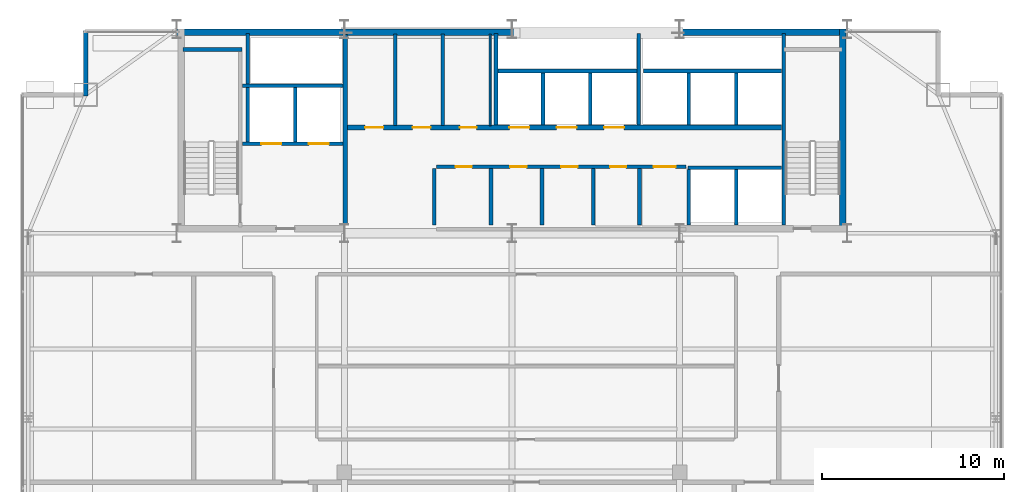
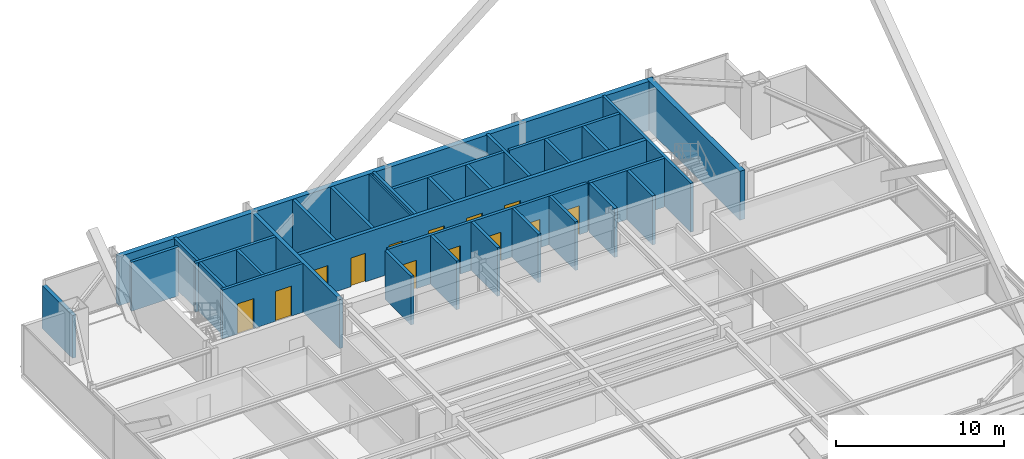
# One storey, part 30 of 33: 31 walls, 13 doors, 13 openings.
"""IFC4 building model written with IfcOpenShell, lengths in metres."""

from ifc_helpers import new_model, si_unit, direction, frame, frame_2d, origin, place, context, subcontext, project, spatial, rectangle, extrude, source, transform, mapped, material, layer, layer_set, type_object, type_shapes, element, fill, save


model = new_model("IFC4")

# Units and contexts
model_context = context("Model", 3, precision=1e-05, world=origin(), true_north=direction((0.0, 1.0)))
body_context = subcontext(model_context, "Body", "Model", "MODEL_VIEW")
ifc_project = project(units=[si_unit("LENGTHUNIT", "METRE"), si_unit("AREAUNIT", "SQUARE_METRE"), si_unit("VOLUMEUNIT", "CUBIC_METRE"), si_unit("PLANEANGLEUNIT", "RADIAN"), si_unit("MASSUNIT", "GRAM", prefix="KILO")], contexts=[model_context])

# Site, building, storey
site_placement = place(None, origin())
site = spatial("IfcSite", under=ifc_project, at=site_placement, CompositionType="ELEMENT")
building_placement = place(site_placement, origin())
building = spatial("IfcBuilding", under=site, at=building_placement, Name="Varnel Quay Broadcast Tower", CompositionType="ELEMENT")
storey_placement = place(building_placement, frame((0.0, 0.0, 145.800048828125)))
storey = spatial("IfcBuildingStorey", under=building, at=storey_placement, Name="L35", CompositionType="ELEMENT", Elevation=145.800048828125)

# Wall
ifc_material_1 = material(Name="Concrete CSA A23.3 C50/60", Category="concrete")
ifc_layer_1 = layer(ifc_material_1, 0.199951171875, Name="Concrete CSA A23.3 C50/60")
ifc_layer_set_1 = layer_set([ifc_layer_1], Name="Concrete CSA A23.3 C50/60")
wall_type_1 = type_object("IfcWallType", Name="Wall_CoreShaftShear200", PredefinedType="SHEAR", material=ifc_layer_set_1)
wall_1_placement = place(storey_placement, frame((15.949951171875, 45.679931640625, 0.0), z_axis=(0.0, 0.0, 1.0), x_axis=(1.0, 0.0, 0.0)))
element("IfcWall", 1, at=wall_1_placement, inside=storey, type_object=wall_type_1, Name="L35 Stair 1 North Structural Wall", PredefinedType="SHEAR", context=body_context, shape_type="SweptSolid", body=[
    extrude(rectangle(XDim=3.22998046875, YDim=0.199951171875, at=frame_2d((1.614990234375, 0.0))), origin(), (0.0, 0.0, 1.0), 3.550048828125),
])

# Wall, openings, doors
wall_2_placement = place(storey_placement, frame((19.199951171875, 40.5, 0.0), z_axis=(0.0, 0.0, 1.0), x_axis=(1.0, 0.0, 0.0)))
wall_2 = element("IfcWall", 2, at=wall_2_placement, inside=storey, type_object=wall_type_1, Name="L35 Firefighter Lift Shaft Front Wall", PredefinedType="SHEAR", context=body_context, shape_type="SweptSolid", body=[
    extrude(rectangle(XDim=5.52001953125, YDim=0.199951171875, at=frame_2d((2.760009765625, 0.0))), origin(), (0.0, 0.0, 1.0), 3.550048828125),
])
opening_1_placement = place(wall_2_placement, frame((1.050048828125, 0.0, 0.0)))
opening_1 = element("IfcOpeningElement", 3, at=opening_1_placement, cuts=wall_2, Name="Opening LD-L35-FE1", PredefinedType="OPENING", context=body_context, shape_type="SweptSolid", body=[
    extrude(rectangle(XDim=1.10009765625, YDim=2.179931640625, at=frame_2d((0.550048828125, 1.08984375))), frame((0.0, 0.10986328125, 0.0), z_axis=(0.0, -1.0, 0.0), x_axis=(1.0, 0.0, 0.0)), (0.0, 0.0, 1.0), 0.219970703125),
])
opening_2_placement = place(wall_2_placement, frame((3.64990234375, 0.0, 0.0)))
opening_2 = element("IfcOpeningElement", 4, at=opening_2_placement, cuts=wall_2, Name="Opening LD-L35-FE2", PredefinedType="OPENING", context=body_context, shape_type="SweptSolid", body=[
    extrude(rectangle(XDim=1.10009765625, YDim=2.179931640625, at=frame_2d((0.550048828125, 1.08984375))), frame((0.0, 0.10986328125, 0.0), z_axis=(0.0, -1.0, 0.0), x_axis=(1.0, 0.0, 0.0)), (0.0, 0.0, 1.0), 0.219970703125),
])
ifc_material_2 = material(Name="Brushed Bronze-Stainless Lift Car & Sliding Doors", Category="steel")
door_type_1 = type_object("IfcDoorType", Name="Door_LiftLanding1100", OperationType="SLIDING_TO_LEFT", PredefinedType="DOOR", material=ifc_material_2)
shared_shape_1 = source(origin(), body_context, "Body", "SweptSolid", [
    extrude(rectangle(XDim=1.10009765625, YDim=2.179931640625, at=frame_2d((0.550048828125, 1.08984375))), frame((0.0, 0.02490234375, 0.0), z_axis=(0.0, -1.0, 0.0), x_axis=(1.0, 0.0, 0.0)), (0.0, 0.0, 1.0), 0.050048828125),
])
type_shapes(door_type_1, [shared_shape_1])
door_1_placement = place(opening_1_placement, frame((1.10009765625, 0.0, 0.0), z_axis=(0.0, 0.0, 1.0), x_axis=(-1.0, 0.0, 0.0)))
door_1 = element("IfcDoor", 5, at=door_1_placement, inside=storey, type_object=door_type_1, Name="L35 Firefighter Lift FE-01 Landing Door", OperationType="SLIDING_TO_LEFT", OverallHeight=2.179931640625, OverallWidth=1.10009765625, PredefinedType="DOOR", context=body_context, shape_type="MappedRepresentation", body=[
    mapped(shared_shape_1, transform((0.0, 0.0, 0.0), x_axis=(1.0, 0.0, 0.0), y_axis=(0.0, 1.0, 0.0), z_axis=(0.0, 0.0, 1.0), scale=1.0)),
])
fill(opening_1, door_1)
door_2_placement = place(opening_2_placement, frame((1.10009765625, 0.0, 0.0), z_axis=(0.0, 0.0, 1.0), x_axis=(-1.0, 0.0, 0.0)))
door_2 = element("IfcDoor", 6, at=door_2_placement, inside=storey, type_object=door_type_1, Name="L35 Firefighter Lift FE-02 Landing Door", OperationType="SLIDING_TO_RIGHT", OverallHeight=2.179931640625, OverallWidth=1.10009765625, PredefinedType="DOOR", context=body_context, shape_type="MappedRepresentation", body=[
    mapped(shared_shape_1, transform((0.0, 0.0, 0.0), x_axis=(1.0, 0.0, 0.0), y_axis=(0.0, 1.0, 0.0), z_axis=(0.0, 0.0, 1.0), scale=1.0)),
])
fill(opening_2, door_2)

# Walls
wall_3_placement = place(storey_placement, frame((19.199951171875, 43.699951171875, 0.0), z_axis=(0.0, 0.0, 1.0), x_axis=(1.0, 0.0, 0.0)))
element("IfcWall", 7, at=wall_3_placement, inside=storey, type_object=wall_type_1, Name="L35 Firefighter Lift Shaft Rear Wall", PredefinedType="SHEAR", context=body_context, shape_type="SweptSolid", body=[
    extrude(rectangle(XDim=5.52001953125, YDim=0.199951171875, at=frame_2d((2.760009765625, 0.0))), origin(), (0.0, 0.0, 1.0), 3.550048828125),
])
wall_4_placement = place(storey_placement, frame((22.10009765625, 40.60009765625, 0.0), z_axis=(0.0, 0.0, 1.0), x_axis=(0.0, 1.0, 0.0)))
element("IfcWall", 8, at=wall_4_placement, inside=storey, type_object=wall_type_1, Name="L35 Firefighter Lift Shaft Divider", PredefinedType="SHEAR", context=body_context, shape_type="SweptSolid", body=[
    extrude(rectangle(XDim=3.0, YDim=0.199951171875, at=frame_2d((1.5, 0.0))), origin(), (0.0, 0.0, 1.0), 3.550048828125),
])
wall_5_placement = place(storey_placement, frame((19.5, 40.60009765625, 0.0), z_axis=(0.0, 0.0, 1.0), x_axis=(0.0, 1.0, 0.0)))
element("IfcWall", 9, at=wall_5_placement, inside=storey, type_object=wall_type_1, Name="L35 Firefighter Lift Shaft West Wall", PredefinedType="SHEAR", context=body_context, shape_type="SweptSolid", body=[
    extrude(rectangle(XDim=5.949951171875, YDim=0.199951171875, at=frame_2d((2.97509765625, 0.0))), origin(), (0.0, 0.0, 1.0), 3.550048828125),
])
wall_6_placement = place(storey_placement, frame((48.919921875, 36.050048828125, 0.0), z_axis=(0.0, 0.0, 1.0), x_axis=(0.0, 1.0, 0.0)))
element("IfcWall", 10, at=wall_6_placement, inside=storey, type_object=wall_type_1, Name="L35 Stair 2 West Structural Wall", PredefinedType="SHEAR", context=body_context, shape_type="SweptSolid", body=[
    extrude(rectangle(XDim=10.5, YDim=0.199951171875, at=frame_2d((5.25, 0.0))), origin(), (0.0, 0.0, 1.0), 3.550048828125),
])
wall_7_placement = place(storey_placement, frame((33.219970703125, 44.5, 0.0), z_axis=(0.0, 0.0, 1.0), x_axis=(1.0, 0.0, 0.0)))
element("IfcWall", 11, at=wall_7_placement, inside=storey, type_object=wall_type_1, Name="L35 Mid-Rise Lift Shaft Rear Wall", PredefinedType="SHEAR", context=body_context, shape_type="SweptSolid", body=[
    extrude(rectangle(XDim=7.630126953125, YDim=0.199951171875, at=frame_2d((3.81494140625, 0.0))), origin(), (0.0, 0.0, 1.0), 3.550048828125),
])
wall_8_placement = place(storey_placement, frame((33.1201171875, 41.530029296875, 0.0), z_axis=(0.0, 0.0, 1.0), x_axis=(0.0, 1.0, 0.0)))
element("IfcWall", 12, at=wall_8_placement, inside=storey, type_object=wall_type_1, Name="L35 Mid-Rise Lift Shaft Divider 1", PredefinedType="SHEAR", context=body_context, shape_type="SweptSolid", body=[
    extrude(rectangle(XDim=5.02001953125, YDim=0.199951171875, at=frame_2d((2.510009765625, 0.0))), origin(), (0.0, 0.0, 1.0), 3.550048828125),
])
for number, where, z_axis, x_axis, name in (
    (13, (35.699951171875, 41.530029296875, 0.0), (0.0, 0.0, 1.0), (0.0, 1.0, 0.0), "L35 Mid-Rise Lift Shaft Divider 2"),
    (14, (38.300048828125, 41.530029296875, 0.0), (0.0, 0.0, 1.0), (0.0, 1.0, 0.0), "L35 Mid-Rise Lift Shaft Divider 3"),
):
    element("IfcWall", number, at=place(storey_placement, frame(where, z_axis=z_axis, x_axis=x_axis)), inside=storey, type_object=wall_type_1, Name=name, PredefinedType="SHEAR", context=body_context, shape_type="SweptSolid", body=[
        extrude(rectangle(XDim=2.869873046875, YDim=0.199951171875, at=frame_2d((1.43505859375, 0.0))), origin(), (0.0, 0.0, 1.0), 3.550048828125),
    ])
wall_9_placement = place(storey_placement, frame((40.949951171875, 41.530029296875, 0.0), z_axis=(0.0, 0.0, 1.0), x_axis=(0.0, 1.0, 0.0)))
element("IfcWall", 15, at=wall_9_placement, inside=storey, type_object=wall_type_1, Name="L35 Mid-Rise Lift Shaft Divider 4", PredefinedType="SHEAR", context=body_context, shape_type="SweptSolid", body=[
    extrude(rectangle(XDim=5.02001953125, YDim=0.199951171875, at=frame_2d((2.510009765625, 0.0))), origin(), (0.0, 0.0, 1.0), 3.550048828125),
])
wall_10_placement = place(storey_placement, frame((41.219970703125, 44.5, 0.0), z_axis=(0.0, 0.0, 1.0), x_axis=(1.0, 0.0, 0.0)))
element("IfcWall", 16, at=wall_10_placement, inside=storey, type_object=wall_type_1, Name="L35 High-Rise Lift Shaft Rear Wall", PredefinedType="SHEAR", context=body_context, shape_type="SweptSolid", body=[
    extrude(rectangle(XDim=7.580078125, YDim=0.199951171875, at=frame_2d((3.7900390625, 0.0))), origin(), (0.0, 0.0, 1.0), 3.550048828125),
])
for number, where, z_axis, x_axis, name in (
    (17, (43.699951171875, 41.530029296875, 0.0), (0.0, 0.0, 1.0), (0.0, 1.0, 0.0), "L35 High-Rise Lift Shaft Divider 2"),
    (18, (46.300048828125, 41.530029296875, 0.0), (0.0, 0.0, 1.0), (0.0, 1.0, 0.0), "L35 High-Rise Lift Shaft Divider 3"),
):
    element("IfcWall", number, at=place(storey_placement, frame(where, z_axis=z_axis, x_axis=x_axis)), inside=storey, type_object=wall_type_1, Name=name, PredefinedType="SHEAR", context=body_context, shape_type="SweptSolid", body=[
        extrude(rectangle(XDim=2.869873046875, YDim=0.199951171875, at=frame_2d((1.43505859375, 0.0))), origin(), (0.0, 0.0, 1.0), 3.550048828125),
    ])
for number, where, z_axis, x_axis, name in (
    (19, (43.699951171875, 36.050048828125, 0.0), (0.0, 0.0, 1.0), (0.0, 1.0, 0.0), "L35 Express Lift Shaft West Wall"),
    (20, (46.300048828125, 36.050048828125, 0.0), (0.0, 0.0, 1.0), (0.0, 1.0, 0.0), "L35 Express Lift Shaft Divider"),
):
    element("IfcWall", number, at=place(storey_placement, frame(where, z_axis=z_axis, x_axis=x_axis)), inside=storey, type_object=wall_type_1, Name=name, PredefinedType="SHEAR", context=body_context, shape_type="SweptSolid", body=[
        extrude(rectangle(XDim=3.050048828125, YDim=0.199951171875, at=frame_2d((1.52490234375, 0.0))), origin(), (0.0, 0.0, 1.0), 3.550048828125),
    ])
wall_11_placement = place(storey_placement, frame((43.64990234375, 39.199951171875, 0.0), z_axis=(0.0, 0.0, 1.0), x_axis=(1.0, 0.0, 0.0)))
element("IfcWall", 21, at=wall_11_placement, inside=storey, type_object=wall_type_1, Name="L35 Express Lift Shaft North Front Wall", PredefinedType="SHEAR", context=body_context, shape_type="SweptSolid", body=[
    extrude(rectangle(XDim=5.150146484375, YDim=0.199951171875, at=frame_2d((2.5751953125, 0.0))), origin(), (0.0, 0.0, 1.0), 3.550048828125),
])
ifc_layer_2 = layer(ifc_material_1, 0.25, Name="Concrete CSA A23.3 C50/60")
ifc_layer_set_2 = layer_set([ifc_layer_2], Name="Concrete CSA A23.3 C50/60")
wall_type_2 = type_object("IfcWallType", Name="Wall_CoreShaftShear250", PredefinedType="SHEAR", material=ifc_layer_set_2)
wall_12_placement = place(storey_placement, frame((24.85009765625, 36.050048828125, 0.0), z_axis=(0.0, 0.0, 1.0), x_axis=(0.0, 1.0, 0.0)))
element("IfcWall", 22, at=wall_12_placement, inside=storey, type_object=wall_type_2, Name="L35 Firefighting Lobby East Structural Wall", PredefinedType="SHEAR", context=body_context, shape_type="SweptSolid", body=[
    extrude(rectangle(XDim=10.449951171875, YDim=0.25, at=frame_2d((5.22509765625, 0.0))), origin(), (0.0, 0.0, 1.0), 3.550048828125),
])

# Wall, openings, doors
wall_13_placement = place(storey_placement, frame((24.97998046875, 41.39990234375, 0.0), z_axis=(0.0, 0.0, 1.0), x_axis=(1.0, 0.0, 0.0)))
wall_13 = element("IfcWall", 23, at=wall_13_placement, inside=storey, type_object=wall_type_2, Name="L35 North Lift Bank & Reclaimed Suite Wall", PredefinedType="SHEAR", context=body_context, shape_type="SweptSolid", body=[
    extrude(rectangle(XDim=23.820068359375, YDim=0.25, at=frame_2d((11.91015625, 0.0))), origin(), (0.0, 0.0, 1.0), 3.550048828125),
])
opening_3_placement = place(wall_13_placement, frame((8.8701171875, 0.0, 0.0)))
opening_3 = element("IfcOpeningElement", 24, at=opening_3_placement, cuts=wall_13, Name="Opening LD-L35-PM-01", PredefinedType="OPENING", context=body_context, shape_type="SweptSolid", body=[
    extrude(rectangle(XDim=1.10009765625, YDim=2.179931640625, at=frame_2d((0.550048828125, 1.08984375))), frame((0.0, 0.135009765625, 0.0), z_axis=(0.0, -1.0, 0.0), x_axis=(1.0, 0.0, 0.0)), (0.0, 0.0, 1.0), 0.27001953125),
])
opening_4_placement = place(wall_13_placement, frame((11.469970703125, 0.0, 0.0)))
opening_4 = element("IfcOpeningElement", 25, at=opening_4_placement, cuts=wall_13, Name="Opening LD-L35-PM-02", PredefinedType="OPENING", context=body_context, shape_type="SweptSolid", body=[
    extrude(rectangle(XDim=1.10009765625, YDim=2.179931640625, at=frame_2d((0.550048828125, 1.08984375))), frame((0.0, 0.135009765625, 0.0), z_axis=(0.0, -1.0, 0.0), x_axis=(1.0, 0.0, 0.0)), (0.0, 0.0, 1.0), 0.27001953125),
])
opening_5_placement = place(wall_13_placement, frame((14.070068359375, 0.0, 0.0)))
opening_5 = element("IfcOpeningElement", 26, at=opening_5_placement, cuts=wall_13, Name="Opening LD-L35-PM-03", PredefinedType="OPENING", context=body_context, shape_type="SweptSolid", body=[
    extrude(rectangle(XDim=1.10009765625, YDim=2.179931640625, at=frame_2d((0.550048828125, 1.08984375))), frame((0.0, 0.135009765625, 0.0), z_axis=(0.0, -1.0, 0.0), x_axis=(1.0, 0.0, 0.0)), (0.0, 0.0, 1.0), 0.27001953125),
])
opening_6_placement = place(wall_13_placement, frame((0.9599609375, 0.0, 0.0)))
opening_6 = element("IfcOpeningElement", 27, at=opening_6_placement, cuts=wall_13, Name="Opening D-L35-RECA1", PredefinedType="OPENING", context=body_context, shape_type="SweptSolid", body=[
    extrude(rectangle(XDim=1.0, YDim=2.080078125, at=frame_2d((0.5, 1.0400390625))), frame((0.0, 0.135009765625, 0.0), z_axis=(0.0, -1.0, 0.0), x_axis=(1.0, 0.0, 0.0)), (0.0, 0.0, 1.0), 0.27001953125),
])
opening_7_placement = place(wall_13_placement, frame((3.56005859375, 0.0, 0.0)))
opening_7 = element("IfcOpeningElement", 28, at=opening_7_placement, cuts=wall_13, Name="Opening D-L35-RECA2", PredefinedType="OPENING", context=body_context, shape_type="SweptSolid", body=[
    extrude(rectangle(XDim=1.0, YDim=2.080078125, at=frame_2d((0.5, 1.0400390625))), frame((0.0, 0.135009765625, 0.0), z_axis=(0.0, -1.0, 0.0), x_axis=(1.0, 0.0, 0.0)), (0.0, 0.0, 1.0), 0.27001953125),
])
opening_8_placement = place(wall_13_placement, frame((6.159912109375, 0.0, 0.0)))
opening_8 = element("IfcOpeningElement", 29, at=opening_8_placement, cuts=wall_13, Name="Opening D-L35-RECA3", PredefinedType="OPENING", context=body_context, shape_type="SweptSolid", body=[
    extrude(rectangle(XDim=0.919921875, YDim=2.080078125, at=frame_2d((0.4599609375, 1.0400390625))), frame((0.0, 0.135009765625, 0.0), z_axis=(0.0, -1.0, 0.0), x_axis=(1.0, 0.0, 0.0)), (0.0, 0.0, 1.0), 0.27001953125),
])
door_3_placement = place(opening_3_placement, frame((1.10009765625, 0.0, 0.0), z_axis=(0.0, 0.0, 1.0), x_axis=(-1.0, 0.0, 0.0)))
door_3 = element("IfcDoor", 30, at=door_3_placement, inside=storey, type_object=door_type_1, Name="L35 Lift PM-01 Landing Door", OperationType="SLIDING_TO_LEFT", OverallHeight=2.179931640625, OverallWidth=1.10009765625, PredefinedType="DOOR", context=body_context, shape_type="MappedRepresentation", body=[
    mapped(shared_shape_1, transform((0.0, 0.0, 0.0), x_axis=(1.0, 0.0, 0.0), y_axis=(0.0, 1.0, 0.0), z_axis=(0.0, 0.0, 1.0), scale=1.0)),
])
fill(opening_3, door_3)
door_4_placement = place(opening_4_placement, frame((1.10009765625, 0.0, 0.0), z_axis=(0.0, 0.0, 1.0), x_axis=(-1.0, 0.0, 0.0)))
door_4 = element("IfcDoor", 31, at=door_4_placement, inside=storey, type_object=door_type_1, Name="L35 Lift PM-02 Landing Door", OperationType="SLIDING_TO_LEFT", OverallHeight=2.179931640625, OverallWidth=1.10009765625, PredefinedType="DOOR", context=body_context, shape_type="MappedRepresentation", body=[
    mapped(shared_shape_1, transform((0.0, 0.0, 0.0), x_axis=(1.0, 0.0, 0.0), y_axis=(0.0, 1.0, 0.0), z_axis=(0.0, 0.0, 1.0), scale=1.0)),
])
fill(opening_4, door_4)
door_5_placement = place(opening_5_placement, frame((1.10009765625, 0.0, 0.0), z_axis=(0.0, 0.0, 1.0), x_axis=(-1.0, 0.0, 0.0)))
door_5 = element("IfcDoor", 32, at=door_5_placement, inside=storey, type_object=door_type_1, Name="L35 Lift PM-03 Landing Door", OperationType="SLIDING_TO_LEFT", OverallHeight=2.179931640625, OverallWidth=1.10009765625, PredefinedType="DOOR", context=body_context, shape_type="MappedRepresentation", body=[
    mapped(shared_shape_1, transform((0.0, 0.0, 0.0), x_axis=(1.0, 0.0, 0.0), y_axis=(0.0, 1.0, 0.0), z_axis=(0.0, 0.0, 1.0), scale=1.0)),
])
fill(opening_5, door_5)
ifc_material_3 = material(Name="Insulated Fire-Rated Hollow Steel Door", Category="steel")
door_type_2 = type_object("IfcDoorType", Name="Door_FireLobby1000", OperationType="NOTDEFINED", PredefinedType="DOOR", material=ifc_material_3)
shared_shape_2 = source(origin(), body_context, "Body", "SweptSolid", [
    extrude(rectangle(XDim=1.0, YDim=2.080078125, at=frame_2d((0.5, 1.0400390625))), frame((0.0, 0.02490234375, 0.0), z_axis=(0.0, -1.0, 0.0), x_axis=(1.0, 0.0, 0.0)), (0.0, 0.0, 1.0), 0.050048828125),
])
type_shapes(door_type_2, [shared_shape_2])
door_6_placement = place(opening_6_placement, origin())
door_6 = element("IfcDoor", 33, at=door_6_placement, inside=storey, type_object=door_type_2, Name="L35 Ingest Rack Bay A Door", OperationType="SINGLE_SWING_LEFT", OverallHeight=2.080078125, OverallWidth=1.0, PredefinedType="DOOR", context=body_context, shape_type="MappedRepresentation", body=[
    mapped(shared_shape_2, transform((0.0, 0.0, 0.0), x_axis=(1.0, 0.0, 0.0), y_axis=(0.0, 1.0, 0.0), z_axis=(0.0, 0.0, 1.0), scale=1.0)),
])
fill(opening_6, door_6)
door_7_placement = place(opening_7_placement, origin())
door_7 = element("IfcDoor", 34, at=door_7_placement, inside=storey, type_object=door_type_2, Name="L35 Fiber Patch Bay Door", OperationType="SINGLE_SWING_RIGHT", OverallHeight=2.080078125, OverallWidth=1.0, PredefinedType="DOOR", context=body_context, shape_type="MappedRepresentation", body=[
    mapped(shared_shape_2, transform((0.0, 0.0, 0.0), x_axis=(1.0, 0.0, 0.0), y_axis=(0.0, 1.0, 0.0), z_axis=(0.0, 0.0, 1.0), scale=1.0)),
])
fill(opening_7, door_7)
ifc_material_4 = material(Name="Solid-Core Fire-Rated Acoustic Oak Veneer Door", Category="wood")
door_type_3 = type_object("IfcDoorType", Name="Door_Office920", OperationType="NOTDEFINED", PredefinedType="DOOR", material=ifc_material_4)
shared_shape_3 = source(origin(), body_context, "Body", "SweptSolid", [
    extrude(rectangle(XDim=0.919921875, YDim=2.080078125, at=frame_2d((0.4599609375, 1.0400390625))), frame((0.0, 0.02490234375, 0.0), z_axis=(0.0, -1.0, 0.0), x_axis=(1.0, 0.0, 0.0)), (0.0, 0.0, 1.0), 0.050048828125),
])
type_shapes(door_type_3, [shared_shape_3])
door_8_placement = place(opening_8_placement, origin())
door_8 = element("IfcDoor", 35, at=door_8_placement, inside=storey, type_object=door_type_3, Name="L35 Telemetry Store Door", OperationType="SINGLE_SWING_LEFT", OverallHeight=2.080078125, OverallWidth=0.919921875, PredefinedType="DOOR", context=body_context, shape_type="MappedRepresentation", body=[
    mapped(shared_shape_3, transform((0.0, 0.0, 0.0), x_axis=(1.0, 0.0, 0.0), y_axis=(0.0, 1.0, 0.0), z_axis=(0.0, 0.0, 1.0), scale=1.0)),
])
fill(opening_8, door_8)

# Walls
ifc_layer_3 = layer(ifc_material_1, 0.35009765625, Name="Concrete CSA A23.3 C50/60")
ifc_layer_set_3 = layer_set([ifc_layer_3], Name="Concrete CSA A23.3 C50/60")
wall_type_3 = type_object("IfcWallType", Name="Wall_CoreShearExt350", PredefinedType="SHEAR", material=ifc_layer_set_3)
wall_14_placement = place(storey_placement, frame((15.60009765625, 46.625, 0.0), z_axis=(0.0, 0.0, 1.0), x_axis=(1.0, 0.0, 0.0)))
element("IfcWall", 36, at=wall_14_placement, inside=storey, type_object=wall_type_3, Name="L35 North Core Shear Wall", PredefinedType="SHEAR", context=body_context, shape_type="SweptSolid", body=[
    extrude(rectangle(XDim=36.7998046875, YDim=0.35009765625, at=frame_2d((18.39990234375, 0.0))), origin(), (0.0, 0.0, 1.0), 3.550048828125),
])
ifc_layer_4 = layer(ifc_material_1, 0.35009765625, Name="Concrete CSA A23.3 C50/60")
ifc_layer_set_4 = layer_set([ifc_layer_4], Name="Concrete CSA A23.3 C50/60")
wall_type_4 = type_object("IfcWallType", Name="Wall_CoreShearInt350", PredefinedType="SHEAR", material=ifc_layer_set_4)
wall_15_placement = place(storey_placement, frame((52.155029296875, 35.669921875, 0.0), z_axis=(0.0, 0.0, 1.0), x_axis=(0.0, 1.0, 0.0)))
element("IfcWall", 37, at=wall_15_placement, inside=storey, type_object=wall_type_4, Name="L35 East Core Shear Wall", PredefinedType="SHEAR", context=body_context, shape_type="SweptSolid", body=[
    extrude(rectangle(XDim=11.130126953125, YDim=0.35009765625, at=frame_2d((5.56494140625, 0.0))), origin(), (0.0, 0.0, 1.0), 3.550048828125),
])
ifc_material_5 = material(Name="Precast Architectural Concrete C40/50", Category="concrete")
ifc_layer_5 = layer(ifc_material_5, 0.25, Name="Precast Architectural Concrete C40/50")
ifc_layer_set_5 = layer_set([ifc_layer_5], Name="Precast Architectural Concrete C40/50")
wall_type_5 = type_object("IfcWallType", Name="Wall_ExtTerrace250", PredefinedType="SOLIDWALL", material=ifc_layer_set_5)
wall_16_placement = place(storey_placement, frame((10.60009765625, 43.1201171875, 0.0), z_axis=(0.0, 0.0, 1.0), x_axis=(0.0, 1.0, 0.0)))
element("IfcWall", 38, at=wall_16_placement, inside=storey, type_object=wall_type_5, Name="L35 Mega-Column Notch Cladding Wall NNW2", PredefinedType="SOLIDWALL", context=body_context, shape_type="SweptSolid", body=[
    extrude(rectangle(XDim=3.599853515625, YDim=0.25, at=frame_2d((1.7998046875, 0.0))), origin(), (0.0, 0.0, 1.0), 3.10791015625),
])

# Wall, openings, doors
ifc_material_6 = material(Name="Concrete Blockwork Fire Enclosure C40/50", Category="masonry")
ifc_layer_6 = layer(ifc_material_6, 0.199951171875, Name="Concrete Blockwork Fire Enclosure C40/50")
ifc_layer_set_6 = layer_set([ifc_layer_6], Name="Concrete Blockwork Fire Enclosure C40/50")
wall_type_6 = type_object("IfcWallType", Name="Wall_FireShaft200", PredefinedType="SOLIDWALL", material=ifc_layer_set_6)
wall_17_placement = place(storey_placement, frame((29.85009765625, 39.25, 0.0), z_axis=(0.0, 0.0, 1.0), x_axis=(1.0, 0.0, 0.0)))
wall_17 = element("IfcWall", 39, at=wall_17_placement, inside=storey, type_object=wall_type_6, Name="L35 Accessible Washroom Partition 3", PredefinedType="SOLIDWALL", context=body_context, shape_type="SweptSolid", body=[
    extrude(rectangle(XDim=13.699951171875, YDim=0.199951171875, at=frame_2d((6.85009765625, 0.0))), origin(), (0.0, 0.0, 1.0), 3.530029296875),
])
opening_9_placement = place(wall_17_placement, frame((1.050048828125, 0.0, 0.0)))
opening_9 = element("IfcOpeningElement", 40, at=opening_9_placement, cuts=wall_17, Name="Opening D-L35-01", PredefinedType="OPENING", context=body_context, shape_type="SweptSolid", body=[
    extrude(rectangle(XDim=0.89990234375, YDim=2.06005859375, at=frame_2d((0.449951171875, 1.030029296875))), frame((0.0, 0.10986328125, 0.0), z_axis=(0.0, -1.0, 0.0), x_axis=(1.0, 0.0, 0.0)), (0.0, 0.0, 1.0), 0.219970703125),
])
opening_10_placement = place(wall_17_placement, frame((4.050048828125, 0.0, 0.0)))
opening_10 = element("IfcOpeningElement", 41, at=opening_10_placement, cuts=wall_17, Name="Opening D-L35-02", PredefinedType="OPENING", context=body_context, shape_type="SweptSolid", body=[
    extrude(rectangle(XDim=0.89990234375, YDim=2.06005859375, at=frame_2d((0.449951171875, 1.030029296875))), frame((0.0, 0.10986328125, 0.0), z_axis=(0.0, -1.0, 0.0), x_axis=(1.0, 0.0, 0.0)), (0.0, 0.0, 1.0), 0.219970703125),
])
opening_11_placement = place(wall_17_placement, frame((6.85009765625, 0.0, 0.0)))
opening_11 = element("IfcOpeningElement", 42, at=opening_11_placement, cuts=wall_17, Name="Opening D-L35-03", PredefinedType="OPENING", context=body_context, shape_type="SweptSolid", body=[
    extrude(rectangle(XDim=0.89990234375, YDim=2.06005859375, at=frame_2d((0.449951171875, 1.030029296875))), frame((0.0, 0.10986328125, 0.0), z_axis=(0.0, -1.0, 0.0), x_axis=(1.0, 0.0, 0.0)), (0.0, 0.0, 1.0), 0.219970703125),
])
opening_12_placement = place(wall_17_placement, frame((9.534912109375, 0.0, 0.0)))
opening_12 = element("IfcOpeningElement", 43, at=opening_12_placement, cuts=wall_17, Name="Opening D-L35-04", PredefinedType="OPENING", context=body_context, shape_type="SweptSolid", body=[
    extrude(rectangle(XDim=0.8798828125, YDim=2.06005859375, at=frame_2d((0.43994140625, 1.030029296875))), frame((0.0, 0.10986328125, 0.0), z_axis=(0.0, -1.0, 0.0), x_axis=(1.0, 0.0, 0.0)), (0.0, 0.0, 1.0), 0.219970703125),
])
opening_13_placement = place(wall_17_placement, frame((11.925048828125, 0.0, 0.0)))
opening_13 = element("IfcOpeningElement", 44, at=opening_13_placement, cuts=wall_17, Name="Opening D-L35-05", PredefinedType="OPENING", context=body_context, shape_type="SweptSolid", body=[
    extrude(rectangle(XDim=1.199951171875, YDim=2.10009765625, at=frame_2d((0.60009765625, 1.050048828125))), frame((0.0, 0.10986328125, 0.0), z_axis=(0.0, -1.0, 0.0), x_axis=(1.0, 0.0, 0.0)), (0.0, 0.0, 1.0), 0.219970703125),
])
door_type_4 = type_object("IfcDoorType", Name="Door_Washroom900", OperationType="NOTDEFINED", PredefinedType="DOOR", material=ifc_material_4)
shared_shape_4 = source(origin(), body_context, "Body", "SweptSolid", [
    extrude(rectangle(XDim=0.89990234375, YDim=2.06005859375, at=frame_2d((0.449951171875, 1.030029296875))), frame((0.0, 0.02490234375, 0.0), z_axis=(0.0, -1.0, 0.0), x_axis=(1.0, 0.0, 0.0)), (0.0, 0.0, 1.0), 0.050048828125),
])
type_shapes(door_type_4, [shared_shape_4])
door_9_placement = place(opening_9_placement, frame((0.89990234375, 0.0, 0.0), z_axis=(0.0, 0.0, 1.0), x_axis=(-1.0, 0.0, 0.0)))
door_9 = element("IfcDoor", 45, at=door_9_placement, inside=storey, type_object=door_type_4, Name="L35 Accessible Washroom Door D-L35-01", OperationType="SINGLE_SWING_RIGHT", OverallHeight=2.06005859375, OverallWidth=0.89990234375, PredefinedType="DOOR", context=body_context, shape_type="MappedRepresentation", body=[
    mapped(shared_shape_4, transform((0.0, 0.0, 0.0), x_axis=(1.0, 0.0, 0.0), y_axis=(0.0, 1.0, 0.0), z_axis=(0.0, 0.0, 1.0), scale=1.0)),
])
fill(opening_9, door_9)
door_10_placement = place(opening_10_placement, frame((0.89990234375, 0.0, 0.0), z_axis=(0.0, 0.0, 1.0), x_axis=(-1.0, 0.0, 0.0)))
door_10 = element("IfcDoor", 46, at=door_10_placement, inside=storey, type_object=door_type_4, Name="L35 West Gender-Neutral Washroom Door D-L35-02", OperationType="SINGLE_SWING_LEFT", OverallHeight=2.06005859375, OverallWidth=0.89990234375, PredefinedType="DOOR", context=body_context, shape_type="MappedRepresentation", body=[
    mapped(shared_shape_4, transform((0.0, 0.0, 0.0), x_axis=(1.0, 0.0, 0.0), y_axis=(0.0, 1.0, 0.0), z_axis=(0.0, 0.0, 1.0), scale=1.0)),
])
fill(opening_10, door_10)
door_11_placement = place(opening_11_placement, frame((0.89990234375, 0.0, 0.0), z_axis=(0.0, 0.0, 1.0), x_axis=(-1.0, 0.0, 0.0)))
door_11 = element("IfcDoor", 47, at=door_11_placement, inside=storey, type_object=door_type_4, Name="L35 East Staff Washroom Door D-L35-03", OperationType="SINGLE_SWING_RIGHT", OverallHeight=2.06005859375, OverallWidth=0.89990234375, PredefinedType="DOOR", context=body_context, shape_type="MappedRepresentation", body=[
    mapped(shared_shape_4, transform((0.0, 0.0, 0.0), x_axis=(1.0, 0.0, 0.0), y_axis=(0.0, 1.0, 0.0), z_axis=(0.0, 0.0, 1.0), scale=1.0)),
])
fill(opening_11, door_11)
door_type_5 = type_object("IfcDoorType", Name="Door_Plant1200", OperationType="NOTDEFINED", PredefinedType="DOOR", material=ifc_material_3)
shared_shape_5 = source(origin(), body_context, "Body", "SweptSolid", [
    extrude(rectangle(XDim=1.199951171875, YDim=2.10009765625, at=frame_2d((0.60009765625, 1.050048828125))), frame((0.0, 0.02490234375, 0.0), z_axis=(0.0, -1.0, 0.0), x_axis=(1.0, 0.0, 0.0)), (0.0, 0.0, 1.0), 0.050048828125),
])
type_shapes(door_type_5, [shared_shape_5])
door_12_placement = place(opening_13_placement, origin())
door_12 = element("IfcDoor", 48, at=door_12_placement, inside=storey, type_object=door_type_5, Name="L35 Telecom IDF Closet Door D-L35-05", OperationType="SINGLE_SWING_RIGHT", OverallHeight=2.10009765625, OverallWidth=1.199951171875, PredefinedType="DOOR", context=body_context, shape_type="MappedRepresentation", body=[
    mapped(shared_shape_5, transform((0.0, 0.0, 0.0), x_axis=(1.0, 0.0, 0.0), y_axis=(0.0, 1.0, 0.0), z_axis=(0.0, 0.0, 1.0), scale=1.0)),
])
fill(opening_13, door_12)
door_type_6 = type_object("IfcDoorType", Name="Door_Booth880", OperationType="NOTDEFINED", PredefinedType="DOOR", material=ifc_material_4)
shared_shape_6 = source(origin(), body_context, "Body", "SweptSolid", [
    extrude(rectangle(XDim=0.8798828125, YDim=2.06005859375, at=frame_2d((0.43994140625, 1.030029296875))), frame((0.0, 0.02490234375, 0.0), z_axis=(0.0, -1.0, 0.0), x_axis=(1.0, 0.0, 0.0)), (0.0, 0.0, 1.0), 0.050048828125),
])
type_shapes(door_type_6, [shared_shape_6])
door_13_placement = place(opening_12_placement, frame((0.8798828125, 0.0, 0.0), z_axis=(0.0, 0.0, 1.0), x_axis=(-1.0, 0.0, 0.0)))
door_13 = element("IfcDoor", 49, at=door_13_placement, inside=storey, type_object=door_type_6, Name="L35 Cleaners' & Linen Store Door D-L35-04", OperationType="SINGLE_SWING_LEFT", OverallHeight=2.06005859375, OverallWidth=0.8798828125, PredefinedType="DOOR", context=body_context, shape_type="MappedRepresentation", body=[
    mapped(shared_shape_6, transform((0.0, 0.0, 0.0), x_axis=(1.0, 0.0, 0.0), y_axis=(0.0, 1.0, 0.0), z_axis=(0.0, 0.0, 1.0), scale=1.0)),
])
fill(opening_12, door_13)

# Walls
wall_18_placement = place(storey_placement, frame((41.0, 36.050048828125, 0.0), z_axis=(0.0, 0.0, 1.0), x_axis=(0.0, 1.0, 0.0)))
element("IfcWall", 50, at=wall_18_placement, inside=storey, type_object=wall_type_6, Name="L35 Cleaners' & Linen Store Partition 7", PredefinedType="SOLIDWALL", context=body_context, shape_type="SweptSolid", body=[
    extrude(rectangle(XDim=3.099853515625, YDim=0.199951171875, at=frame_2d((1.5498046875, 0.0))), origin(), (0.0, 0.0, 1.0), 3.530029296875),
])
for number, where, z_axis, x_axis, name in (
    (51, (27.60009765625, 41.5, 0.0), (0.0, 0.0, 1.0), (0.0, 1.0, 0.0), "L35 Ingest Rack Bay A Partition 21"),
    (52, (30.199951171875, 41.5, 0.0), (0.0, 0.0, 1.0), (0.0, 1.0, 0.0), "L35 Fiber Patch Bay Partition 22"),
):
    element("IfcWall", number, at=place(storey_placement, frame(where, z_axis=z_axis, x_axis=x_axis)), inside=storey, type_object=wall_type_6, Name=name, PredefinedType="SOLIDWALL", context=body_context, shape_type="SweptSolid", body=[
        extrude(rectangle(XDim=5.02001953125, YDim=0.199951171875, at=frame_2d((2.510009765625, 0.0))), origin(), (0.0, 0.0, 1.0), 3.530029296875),
    ])
ifc_material_7 = material(Name="Steel-Stud Fire-Rated Acoustic Gypsum Partition Assembly", Category="steel")
ifc_layer_7 = layer(ifc_material_7, 0.10498046875, Name="Steel-Stud Fire-Rated Acoustic Gypsum Partition Assembly")
ifc_layer_set_7 = layer_set([ifc_layer_7], Name="Steel-Stud Fire-Rated Acoustic Gypsum Partition Assembly")
wall_type_7 = type_object("IfcWallType", Name="Wall_Partition105", PredefinedType="PARTITIONING", material=ifc_layer_set_7)
wall_19_placement = place(storey_placement, frame((32.800048828125, 41.5, 0.0), z_axis=(0.0, 0.0, 1.0), x_axis=(0.0, 1.0, 0.0)))
element("IfcWall", 53, at=wall_19_placement, inside=storey, type_object=wall_type_7, Name="L35 Telemetry Store Partition 23", PredefinedType="PARTITIONING", context=body_context, shape_type="SweptSolid", body=[
    extrude(rectangle(XDim=5.02001953125, YDim=0.10498046875, at=frame_2d((2.510009765625, 0.0))), origin(), (0.0, 0.0, 1.0), 3.530029296875),
])
ifc_material_8 = material(Name="Fire-Rated Moisture-Resistant Plumbing Chase Partition")
ifc_layer_8 = layer(ifc_material_8, 0.199951171875, Name="Fire-Rated Moisture-Resistant Plumbing Chase Partition")
ifc_layer_set_8 = layer_set([ifc_layer_8], Name="Fire-Rated Moisture-Resistant Plumbing Chase Partition")
wall_type_8 = type_object("IfcWallType", Name="Wall_Plumbing200", PredefinedType="PLUMBINGWALL", material=ifc_layer_set_8)
for number, where, z_axis, x_axis, name in (
    (54, (32.85009765625, 36.050048828125, 0.0), (0.0, 0.0, 1.0), (0.0, 1.0, 0.0), "L35 Accessible Washroom Partition 2"),
    (55, (29.72509765625, 36.050048828125, 0.0), (0.0, 0.0, 1.0), (0.0, 1.0, 0.0), "L35 Accessible Washroom Partition 4"),
    (56, (35.64990234375, 36.050048828125, 0.0), (0.0, 0.0, 1.0), (0.0, 1.0, 0.0), "L35 West Gender-Neutral Washroom Partition 5"),
    (57, (38.449951171875, 36.050048828125, 0.0), (0.0, 0.0, 1.0), (0.0, 1.0, 0.0), "L35 East Staff Washroom Partition 6"),
):
    element("IfcWall", number, at=place(storey_placement, frame(where, z_axis=z_axis, x_axis=x_axis)), inside=storey, type_object=wall_type_8, Name=name, PredefinedType="PLUMBINGWALL", context=body_context, shape_type="SweptSolid", body=[
        extrude(rectangle(XDim=3.099853515625, YDim=0.199951171875, at=frame_2d((1.5498046875, 0.0))), origin(), (0.0, 0.0, 1.0), 3.530029296875),
    ])

save(model, "model.ifc")
